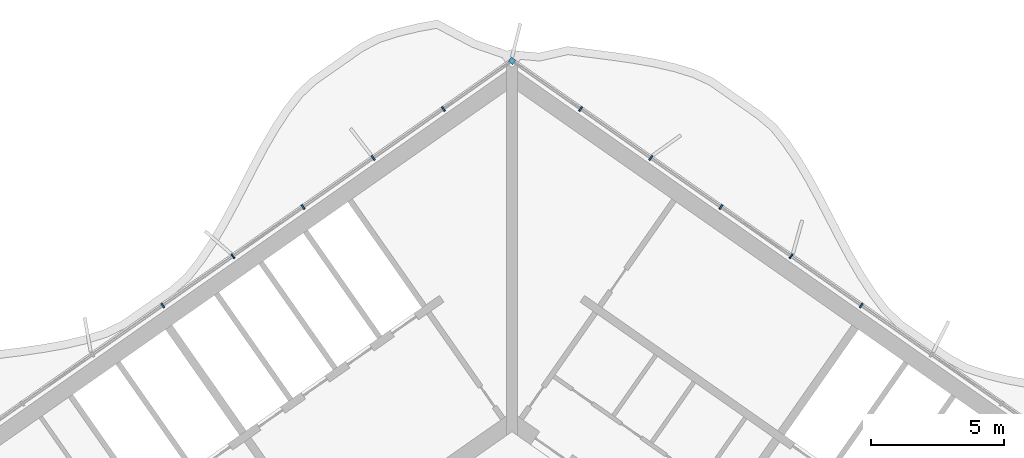
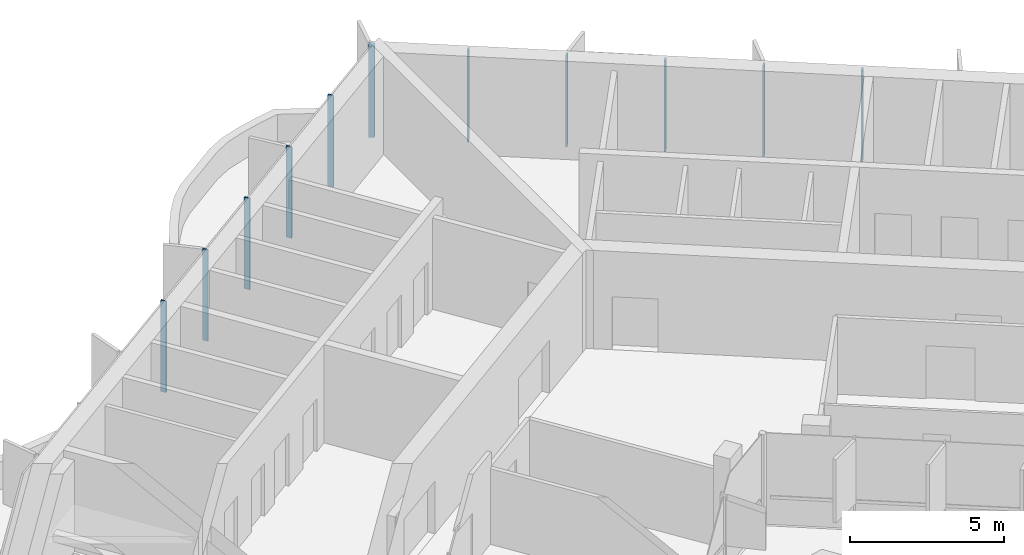
# One storey, part 7 of 20: 11 members, 1 element without a shape of its own.
"""IFC4 building model written with IfcOpenShell, lengths in metres."""

from ifc_helpers import new_model, si_unit, direction, frame, origin, origin_2d, place, context, subcontext, project, spatial, rectangle, extrude, material, material_profile, profile_set, type_object, element, aggregate, save


model = new_model("IFC4")

# Units and contexts
model_context = context("Model", 3, precision=1e-05, world=origin(), true_north=direction((0.0, 1.0)))
body_context = subcontext(model_context, "Body", "Model", "MODEL_VIEW")
ifc_project = project(units=[si_unit("LENGTHUNIT", "METRE"), si_unit("AREAUNIT", "SQUARE_METRE"), si_unit("VOLUMEUNIT", "CUBIC_METRE"), si_unit("PLANEANGLEUNIT", "RADIAN"), si_unit("MASSUNIT", "GRAM", prefix="KILO")], contexts=[model_context])

# Site, building, storey
site_placement = place(None, origin())
site = spatial("IfcSite", under=ifc_project, at=site_placement, CompositionType="ELEMENT")
building_placement = place(site_placement, origin())
building = spatial("IfcBuilding", under=site, at=building_placement, Name="Tel Ilan Convention Tower", CompositionType="ELEMENT")
storey_placement = place(building_placement, frame((0.0, 0.0, 229.300048828125)))
storey = spatial("IfcBuildingStorey", under=building, at=storey_placement, Name="L53", CompositionType="ELEMENT", Elevation=229.300048828125)

# Curtain wall, members
ifc_material_1 = material(Name="Aluminium, bronze anodised", Category="aluminium")
curtain_wall_type = type_object("IfcCurtainWallType", Name="CW2 STICK CURTAIN WALL, SPANDREL PANELS", PredefinedType="NOTDEFINED", material=ifc_material_1)
curtain_wall_placement = place(storey_placement, origin())
curtain_wall = element("IfcCurtainWall", 1, at=curtain_wall_placement, inside=storey, type_object=curtain_wall_type, Name="Curtain wall CW2-42.01", PredefinedType="NOTDEFINED")
ifc_material_2 = material(Name="Aluminium, bronze anodised", Category="aluminium")
ifc_material_profile_1 = material_profile(ifc_material_2, rectangle(XDim=0.199951171875, YDim=0.199951171875, at=origin_2d()), Name="CW CORNER MULLION 200x200")
ifc_profile_set_1 = profile_set([ifc_material_profile_1], Name="Aluminium, bronze anodised")
member_type_1 = type_object("IfcMemberType", Name="CW CORNER MULLION 200x200", PredefinedType="MULLION", material=ifc_profile_set_1)
member_1_placement = place(storey_placement, frame((0.0, 12.696044921875, 0.0), z_axis=(0.0, 0.0, 1.0), x_axis=(-0.819152044289, 0.573576436351, 0.0)))
member_1 = element("IfcMember", 2, at=member_1_placement, type_object=member_type_1, Name="Corner mullion", PredefinedType="MULLION", context=body_context, shape_type="SweptSolid", body=[
    extrude(rectangle(XDim=0.199951171875, YDim=0.199951171875, at=origin_2d()), origin(), (0.0, 0.0, 1.0), 3.619873046875),
])
ifc_material_3 = material(Name="Aluminium, bronze anodised", Category="aluminium")
ifc_material_profile_2 = material_profile(ifc_material_3, rectangle(XDim=0.06005859375, YDim=0.199951171875, at=origin_2d()), Name="CW MULLION 60x200")
ifc_profile_set_2 = profile_set([ifc_material_profile_2], Name="Aluminium, bronze anodised")
member_type_2 = type_object("IfcMemberType", Name="CW MULLION 60x200", PredefinedType="MULLION", material=ifc_profile_set_2)
member_2_placement = place(storey_placement, frame((13.105712890625, 3.519287109375, 0.0), z_axis=(0.0, 0.0, 1.0), x_axis=(-0.819152044289, 0.573576436351, 0.0)))
member_2 = element("IfcMember", 3, at=member_2_placement, type_object=member_type_2, Name="Mullion", PredefinedType="MULLION", context=body_context, shape_type="SweptSolid", body=[
    extrude(rectangle(XDim=0.06005859375, YDim=0.199951171875, at=origin_2d()), origin(), (0.0, 0.0, 1.0), 3.619873046875),
])
member_3_placement = place(storey_placement, frame((10.47314453125, 5.36279296875, 0.0), z_axis=(0.0, 0.0, 1.0), x_axis=(-0.819152044289, 0.573576436351, 0.0)))
member_3 = element("IfcMember", 4, at=member_3_placement, type_object=member_type_2, Name="Mullion", PredefinedType="MULLION", context=body_context, shape_type="SweptSolid", body=[
    extrude(rectangle(XDim=0.06005859375, YDim=0.199951171875, at=origin_2d()), origin(), (0.0, 0.0, 1.0), 3.619873046875),
])
member_4_placement = place(storey_placement, frame((7.840576171875, 7.2060546875, 0.0), z_axis=(0.0, 0.0, 1.0), x_axis=(-0.819152044289, 0.573576436351, 0.0)))
member_4 = element("IfcMember", 5, at=member_4_placement, type_object=member_type_2, Name="Mullion", PredefinedType="MULLION", context=body_context, shape_type="SweptSolid", body=[
    extrude(rectangle(XDim=0.06005859375, YDim=0.199951171875, at=origin_2d()), origin(), (0.0, 0.0, 1.0), 3.619873046875),
])
member_5_placement = place(storey_placement, frame((5.207763671875, 9.049560546875, 0.0), z_axis=(0.0, 0.0, 1.0), x_axis=(-0.819152044289, 0.573576436351, 0.0)))
member_5 = element("IfcMember", 6, at=member_5_placement, type_object=member_type_2, Name="Mullion", PredefinedType="MULLION", context=body_context, shape_type="SweptSolid", body=[
    extrude(rectangle(XDim=0.06005859375, YDim=0.199951171875, at=origin_2d()), origin(), (0.0, 0.0, 1.0), 3.619873046875),
])
member_6_placement = place(storey_placement, frame((2.5751953125, 10.892822265625, 0.0), z_axis=(0.0, 0.0, 1.0), x_axis=(-0.819152044289, 0.573576436351, 0.0)))
member_6 = element("IfcMember", 7, at=member_6_placement, type_object=member_type_2, Name="Mullion", PredefinedType="MULLION", context=body_context, shape_type="SweptSolid", body=[
    extrude(rectangle(XDim=0.06005859375, YDim=0.199951171875, at=origin_2d()), origin(), (0.0, 0.0, 1.0), 3.619873046875),
])
member_7_placement = place(storey_placement, frame((-2.5751953125, 10.892822265625, 0.0), z_axis=(0.0, 0.0, 1.0), x_axis=(-0.819152044289, -0.573576436351, 0.0)))
member_7 = element("IfcMember", 8, at=member_7_placement, type_object=member_type_2, Name="Mullion", PredefinedType="MULLION", context=body_context, shape_type="SweptSolid", body=[
    extrude(rectangle(XDim=0.06005859375, YDim=0.199951171875, at=origin_2d()), origin(), (0.0, 0.0, 1.0), 3.619873046875),
])
member_8_placement = place(storey_placement, frame((-5.207763671875, 9.049560546875, 0.0), z_axis=(0.0, 0.0, 1.0), x_axis=(-0.819152044289, -0.573576436351, 0.0)))
member_8 = element("IfcMember", 9, at=member_8_placement, type_object=member_type_2, Name="Mullion", PredefinedType="MULLION", context=body_context, shape_type="SweptSolid", body=[
    extrude(rectangle(XDim=0.06005859375, YDim=0.199951171875, at=origin_2d()), origin(), (0.0, 0.0, 1.0), 3.619873046875),
])
member_9_placement = place(storey_placement, frame((-7.840576171875, 7.2060546875, 0.0), z_axis=(0.0, 0.0, 1.0), x_axis=(-0.819152044289, -0.573576436351, 0.0)))
member_9 = element("IfcMember", 10, at=member_9_placement, type_object=member_type_2, Name="Mullion", PredefinedType="MULLION", context=body_context, shape_type="SweptSolid", body=[
    extrude(rectangle(XDim=0.06005859375, YDim=0.199951171875, at=origin_2d()), origin(), (0.0, 0.0, 1.0), 3.619873046875),
])
member_10_placement = place(storey_placement, frame((-10.47314453125, 5.36279296875, 0.0), z_axis=(0.0, 0.0, 1.0), x_axis=(-0.819152044289, -0.573576436351, 0.0)))
member_10 = element("IfcMember", 11, at=member_10_placement, type_object=member_type_2, Name="Mullion", PredefinedType="MULLION", context=body_context, shape_type="SweptSolid", body=[
    extrude(rectangle(XDim=0.06005859375, YDim=0.199951171875, at=origin_2d()), origin(), (0.0, 0.0, 1.0), 3.619873046875),
])
member_11_placement = place(storey_placement, frame((-13.105712890625, 3.519287109375, 0.0), z_axis=(0.0, 0.0, 1.0), x_axis=(-0.819152044289, -0.573576436351, 0.0)))
member_11 = element("IfcMember", 12, at=member_11_placement, type_object=member_type_2, Name="Mullion", PredefinedType="MULLION", context=body_context, shape_type="SweptSolid", body=[
    extrude(rectangle(XDim=0.06005859375, YDim=0.199951171875, at=origin_2d()), origin(), (0.0, 0.0, 1.0), 3.619873046875),
])
aggregate(curtain_wall, [member_2, member_3, member_4, member_5, member_6, member_1, member_7, member_8, member_9, member_10, member_11])

save(model, "model.ifc")
